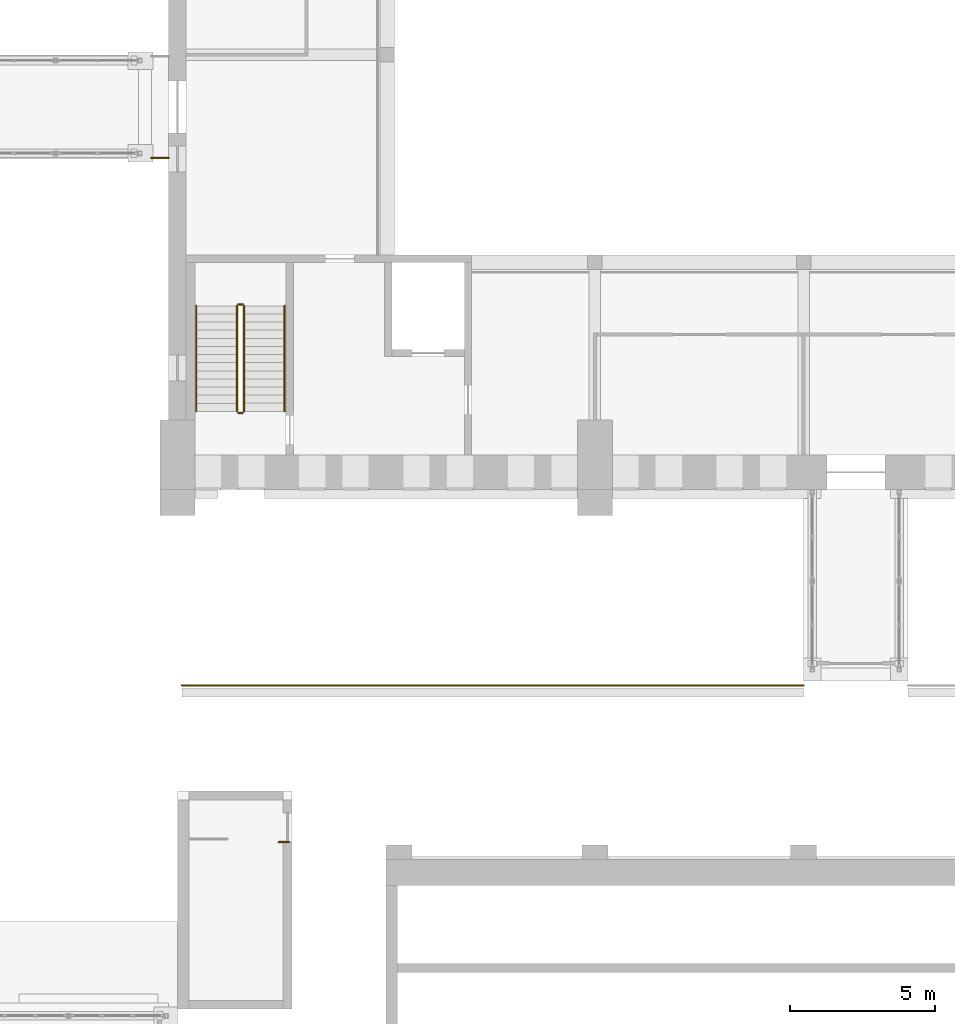
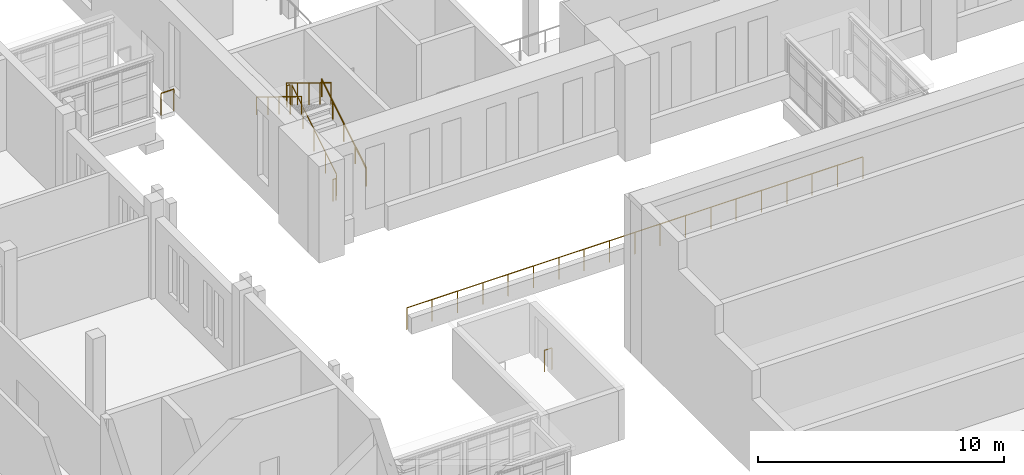
# One storey, part 114 of 131: 9 railings.
"""IFC4 building model written with IfcOpenShell, lengths in metres."""

from ifc_helpers import new_model, si_unit, direction, frame, origin, origin_2d, place, context, subcontext, project, spatial, circle, extrude, material, type_object, element, save


model = new_model("IFC4")

# Units and contexts
model_context = context("Model", 3, precision=1e-05, world=origin(), true_north=direction((0.0, 1.0)))
body_context = subcontext(model_context, "Body", "Model", "MODEL_VIEW")
ifc_project = project(units=[si_unit("LENGTHUNIT", "METRE"), si_unit("AREAUNIT", "SQUARE_METRE"), si_unit("VOLUMEUNIT", "CUBIC_METRE"), si_unit("PLANEANGLEUNIT", "RADIAN"), si_unit("MASSUNIT", "GRAM", prefix="KILO")], contexts=[model_context])

# Site, building, storey
site_placement = place(None, origin())
site = spatial("IfcSite", under=ifc_project, at=site_placement, CompositionType="ELEMENT")
building_placement = place(site_placement, origin())
building = spatial("IfcBuilding", under=site, at=building_placement, Name="Alderwick Market Hall", CompositionType="ELEMENT")
storey_placement = place(building_placement, frame((0.0, 0.0, 4.800048828125)))
storey = spatial("IfcBuildingStorey", under=building, at=storey_placement, Name="L00", CompositionType="ELEMENT", Elevation=4.800048828125)

# Railings
ifc_material_1 = material(Name="Steel ASTM A500 Grade C", Category="steel")
railing_type_1 = type_object("IfcRailingType", Name="A Roof Guard 1100", PredefinedType="GUARDRAIL", material=ifc_material_1)
railing_1_placement = place(storey_placement, frame((54.25, 37.639892578125, 0.0)))
element("IfcRailing", 1, at=railing_1_placement, inside=storey, type_object=railing_type_1, Name="Stair guard", PredefinedType="GUARDRAIL", context=body_context, shape_type="SweptSolid", body=[
    extrude(circle(Radius=0.02392578125, at=origin_2d()), frame((0.0, 0.0, 1.076171875), z_axis=(-1.0, 0.0, 0.0), x_axis=(0.0, -1.0, 0.0)), (0.0, 0.0, 1.0), 0.35009765625),
    extrude(circle(Radius=0.02099609375, at=origin_2d()), origin(), (0.0, 0.0, 1.0), 1.052001953125),
    extrude(circle(Radius=0.02099609375, at=origin_2d()), frame((-0.35009765625, 0.0, 0.0)), (0.0, 0.0, 1.0), 1.052001953125),
])
railing_2_placement = place(storey_placement, frame((50.550048828125, 43.050048828125, 0.0)))
element("IfcRailing", 2, at=railing_2_placement, inside=storey, type_object=railing_type_1, Name="Roof guard", PredefinedType="GUARDRAIL", context=body_context, shape_type="SweptSolid", body=[
    extrude(circle(Radius=0.02392578125, at=origin_2d()), frame((0.0, 0.0, 1.076171875), z_axis=(1.0, 0.0, 0.0), x_axis=(0.0, 1.0, 0.0)), (0.0, 0.0, 1.0), 21.449951171875),
    extrude(circle(Radius=0.02099609375, at=origin_2d()), origin(), (0.0, 0.0, 1.0), 1.052001953125),
    extrude(circle(Radius=0.02099609375, at=origin_2d()), frame((1.191650390625, 0.0, 0.0)), (0.0, 0.0, 1.0), 1.052001953125),
    extrude(circle(Radius=0.02099609375, at=origin_2d()), frame((2.38330078125, 0.0, 0.0)), (0.0, 0.0, 1.0), 1.052001953125),
    extrude(circle(Radius=0.02099609375, at=origin_2d()), frame((3.574951171875, 0.0, 0.0)), (0.0, 0.0, 1.0), 1.052001953125),
    extrude(circle(Radius=0.02099609375, at=origin_2d()), frame((4.7666015625, 0.0, 0.0)), (0.0, 0.0, 1.0), 1.052001953125),
    extrude(circle(Radius=0.02099609375, at=origin_2d()), frame((5.958251953125, 0.0, 0.0)), (0.0, 0.0, 1.0), 1.052001953125),
    extrude(circle(Radius=0.02099609375, at=origin_2d()), frame((7.14990234375, 0.0, 0.0)), (0.0, 0.0, 1.0), 1.052001953125),
    extrude(circle(Radius=0.02099609375, at=origin_2d()), frame((8.341552734375, 0.0, 0.0)), (0.0, 0.0, 1.0), 1.052001953125),
    extrude(circle(Radius=0.02099609375, at=origin_2d()), frame((9.533203125, 0.0, 0.0)), (0.0, 0.0, 1.0), 1.052001953125),
    extrude(circle(Radius=0.02099609375, at=origin_2d()), frame((10.72509765625, 0.0, 0.0)), (0.0, 0.0, 1.0), 1.052001953125),
    extrude(circle(Radius=0.02099609375, at=origin_2d()), frame((11.916748046875, 0.0, 0.0)), (0.0, 0.0, 1.0), 1.052001953125),
    extrude(circle(Radius=0.02099609375, at=origin_2d()), frame((13.1083984375, 0.0, 0.0)), (0.0, 0.0, 1.0), 1.052001953125),
    extrude(circle(Radius=0.02099609375, at=origin_2d()), frame((14.300048828125, 0.0, 0.0)), (0.0, 0.0, 1.0), 1.052001953125),
    extrude(circle(Radius=0.02099609375, at=origin_2d()), frame((15.49169921875, 0.0, 0.0)), (0.0, 0.0, 1.0), 1.052001953125),
    extrude(circle(Radius=0.02099609375, at=origin_2d()), frame((16.683349609375, 0.0, 0.0)), (0.0, 0.0, 1.0), 1.052001953125),
    extrude(circle(Radius=0.02099609375, at=origin_2d()), frame((17.875, 0.0, 0.0)), (0.0, 0.0, 1.0), 1.052001953125),
    extrude(circle(Radius=0.02099609375, at=origin_2d()), frame((19.066650390625, 0.0, 0.0)), (0.0, 0.0, 1.0), 1.052001953125),
    extrude(circle(Radius=0.02099609375, at=origin_2d()), frame((20.25830078125, 0.0, 0.0)), (0.0, 0.0, 1.0), 1.052001953125),
    extrude(circle(Radius=0.02099609375, at=origin_2d()), frame((21.449951171875, 0.0, 0.0)), (0.0, 0.0, 1.0), 1.052001953125),
])
ifc_material_2 = material(Name="Steel, painted", Category="steel")
railing_type_2 = type_object("IfcRailingType", Name="H Guard 1100", PredefinedType="GUARDRAIL", material=ifc_material_2)
railing_3_placement = place(storey_placement, frame((52.699951171875, 52.5, 0.17138671875)))
element("IfcRailing", 3, at=railing_3_placement, inside=storey, type_object=railing_type_2, Name="L00 H-SW stair guard 1", PredefinedType="GUARDRAIL", context=body_context, shape_type="SweptSolid", body=[
    extrude(circle(Radius=0.02392578125, at=origin_2d()), frame((0.0, 0.0, 1.076171875), z_axis=(0.0, 0.852850264322, 0.5221555579), x_axis=(-1.0, 0.0, 0.0)), (0.0, 0.0, 1.0), 4.267822265625),
    extrude(circle(Radius=0.02099609375, at=origin_2d()), origin(), (0.0, 0.0, 1.0), 1.052001953125),
    extrude(circle(Radius=0.02099609375, at=origin_2d()), frame((0.0, 0.909912109375, 0.55712890625)), (0.0, 0.0, 1.0), 1.052001953125),
    extrude(circle(Radius=0.02099609375, at=origin_2d()), frame((0.0, 1.81982421875, 1.1142578125)), (0.0, 0.0, 1.0), 1.052001953125),
    extrude(circle(Radius=0.02099609375, at=origin_2d()), frame((0.0, 2.72998046875, 1.67138671875)), (0.0, 0.0, 1.0), 1.052001953125),
    extrude(circle(Radius=0.02099609375, at=origin_2d()), frame((0.0, 3.639892578125, 2.228515625)), (0.0, 0.0, 1.0), 1.052001953125),
])
railing_4_placement = place(storey_placement, frame((52.64990234375, 56.18994140625, 2.39990234375)))
element("IfcRailing", 4, at=railing_4_placement, inside=storey, type_object=railing_type_2, Name="L00 H-SW stair guard 2", PredefinedType="GUARDRAIL", context=body_context, shape_type="SweptSolid", body=[
    extrude(circle(Radius=0.02392578125, at=origin_2d()), frame((0.0, 0.0, 1.076171875), z_axis=(-1.0, 0.0, 0.0), x_axis=(0.0, -1.0, 0.0)), (0.0, 0.0, 1.0), 0.14990234375),
    extrude(circle(Radius=0.02099609375, at=origin_2d()), origin(), (0.0, 0.0, 1.0), 1.052001953125),
    extrude(circle(Radius=0.02099609375, at=origin_2d()), frame((-0.14990234375, 0.0, 0.0)), (0.0, 0.0, 1.0), 1.052001953125),
])
railing_5_placement = place(storey_placement, frame((52.449951171875, 56.139892578125, 2.5712890625)))
element("IfcRailing", 5, at=railing_5_placement, inside=storey, type_object=railing_type_2, Name="L00 H-SW stair guard 3", PredefinedType="GUARDRAIL", context=body_context, shape_type="SweptSolid", body=[
    extrude(circle(Radius=0.02392578125, at=origin_2d()), frame((0.0, 0.0, 1.076171875), z_axis=(0.0, -0.852824790078, 0.522197163366), x_axis=(1.0, 0.0, 0.0)), (0.0, 0.0, 1.0), 4.26806640625),
    extrude(circle(Radius=0.02099609375, at=origin_2d()), origin(), (0.0, 0.0, 1.0), 1.052001953125),
    extrude(circle(Radius=0.02099609375, at=origin_2d()), frame((0.0, -0.909912109375, 0.55712890625)), (0.0, 0.0, 1.0), 1.052001953125),
    extrude(circle(Radius=0.02099609375, at=origin_2d()), frame((0.0, -1.81982421875, 1.1142578125)), (0.0, 0.0, 1.0), 1.052001953125),
    extrude(circle(Radius=0.02099609375, at=origin_2d()), frame((0.0, -2.72998046875, 1.671630859375)), (0.0, 0.0, 1.0), 1.052001953125),
    extrude(circle(Radius=0.02099609375, at=origin_2d()), frame((0.0, -3.639892578125, 2.228759765625)), (0.0, 0.0, 1.0), 1.052001953125),
])
railing_6_placement = place(storey_placement, frame((52.64990234375, 52.449951171875, 0.0)))
element("IfcRailing", 6, at=railing_6_placement, inside=storey, type_object=railing_type_2, Name="L00 H-SW stair guard 4", PredefinedType="GUARDRAIL", context=body_context, shape_type="SweptSolid", body=[
    extrude(circle(Radius=0.02392578125, at=origin_2d()), frame((0.0, 0.0, 1.076171875), z_axis=(-1.0, 0.0, 0.0), x_axis=(0.0, -1.0, 0.0)), (0.0, 0.0, 1.0), 0.14990234375),
    extrude(circle(Radius=0.02099609375, at=origin_2d()), origin(), (0.0, 0.0, 1.0), 1.052001953125),
    extrude(circle(Radius=0.02099609375, at=origin_2d()), frame((-0.14990234375, 0.0, 0.0)), (0.0, 0.0, 1.0), 1.052001953125),
])
railing_type_3 = type_object("IfcRailingType", Name="H Handrail 900", PredefinedType="HANDRAIL", material=ifc_material_2)
railing_7_placement = place(storey_placement, frame((54.10009765625, 52.5, 0.17138671875)))
element("IfcRailing", 7, at=railing_7_placement, inside=storey, type_object=railing_type_3, Name="L00 H-SW stair handrail 1", PredefinedType="HANDRAIL", context=body_context, shape_type="SweptSolid", body=[
    extrude(circle(Radius=0.02392578125, at=origin_2d()), frame((0.0, 0.0, 0.8759765625), z_axis=(0.0, 0.852850264322, 0.5221555579), x_axis=(-1.0, 0.0, 0.0)), (0.0, 0.0, 1.0), 4.267822265625),
    extrude(circle(Radius=0.02099609375, at=origin_2d()), origin(), (0.0, 0.0, 1.0), 0.851806640625),
    extrude(circle(Radius=0.02099609375, at=origin_2d()), frame((0.0, 0.909912109375, 0.55712890625)), (0.0, 0.0, 1.0), 0.851806640625),
    extrude(circle(Radius=0.02099609375, at=origin_2d()), frame((0.0, 1.81982421875, 1.1142578125)), (0.0, 0.0, 1.0), 0.851806640625),
    extrude(circle(Radius=0.02099609375, at=origin_2d()), frame((0.0, 2.72998046875, 1.67138671875)), (0.0, 0.0, 1.0), 0.851806640625),
    extrude(circle(Radius=0.02099609375, at=origin_2d()), frame((0.0, 3.639892578125, 2.228515625)), (0.0, 0.0, 1.0), 0.851806640625),
])
railing_8_placement = place(storey_placement, frame((51.050048828125, 56.139892578125, 2.5712890625)))
element("IfcRailing", 8, at=railing_8_placement, inside=storey, type_object=railing_type_3, Name="L00 H-SW stair handrail 2", PredefinedType="HANDRAIL", context=body_context, shape_type="SweptSolid", body=[
    extrude(circle(Radius=0.02392578125, at=origin_2d()), frame((0.0, 0.0, 0.8759765625), z_axis=(0.0, -0.852824790078, 0.522197163366), x_axis=(1.0, 0.0, 0.0)), (0.0, 0.0, 1.0), 4.26806640625),
    extrude(circle(Radius=0.02099609375, at=origin_2d()), origin(), (0.0, 0.0, 1.0), 0.851806640625),
    extrude(circle(Radius=0.02099609375, at=origin_2d()), frame((0.0, -0.909912109375, 0.55712890625)), (0.0, 0.0, 1.0), 0.851806640625),
    extrude(circle(Radius=0.02099609375, at=origin_2d()), frame((0.0, -1.81982421875, 1.1142578125)), (0.0, 0.0, 1.0), 0.851806640625),
    extrude(circle(Radius=0.02099609375, at=origin_2d()), frame((0.0, -2.72998046875, 1.671630859375)), (0.0, 0.0, 1.0), 0.851806640625),
    extrude(circle(Radius=0.02099609375, at=origin_2d()), frame((0.0, -3.639892578125, 2.228759765625)), (0.0, 0.0, 1.0), 0.851806640625),
])
railing_type_4 = type_object("IfcRailingType", Name="R Landing Guard 1100", PredefinedType="GUARDRAIL", material=ifc_material_2)
railing_9_placement = place(storey_placement, frame((49.5, 61.2451171875, 0.0)))
element("IfcRailing", 9, at=railing_9_placement, inside=storey, type_object=railing_type_4, Name="Landing 2 guard S", PredefinedType="GUARDRAIL", context=body_context, shape_type="SweptSolid", body=[
    extrude(circle(Radius=0.02392578125, at=origin_2d()), frame((0.0, 0.0, 1.076171875), z_axis=(1.0, 0.0, 0.0), x_axis=(0.0, 1.0, 0.0)), (0.0, 0.0, 1.0), 0.60009765625),
    extrude(circle(Radius=0.02099609375, at=origin_2d()), origin(), (0.0, 0.0, 1.0), 1.052001953125),
    extrude(circle(Radius=0.02099609375, at=origin_2d()), frame((0.60009765625, 0.0, 0.0)), (0.0, 0.0, 1.0), 1.052001953125),
])

save(model, "model.ifc")
